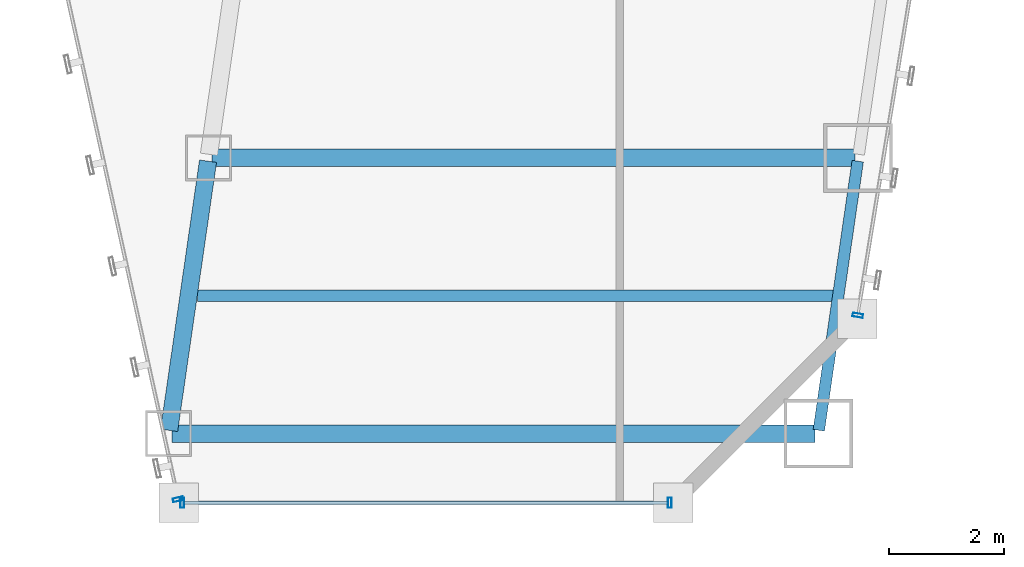
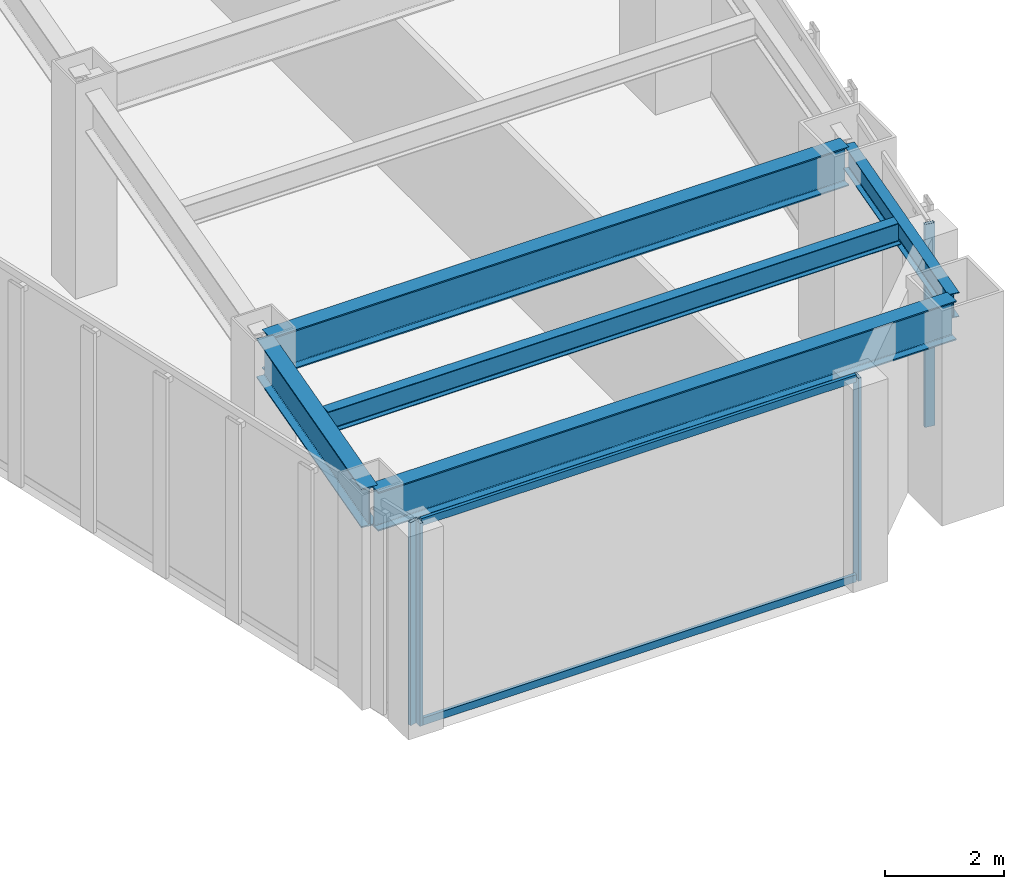
# One storey, part 15 of 47: 6 members, 5 beams, 3 elements without a shape of their own.
"""IFC4 building model written with IfcOpenShell, lengths in metres."""

from ifc_helpers import new_model, si_unit, direction, frame, origin, origin_2d, place, context, subcontext, project, spatial, hollow_rectangle, i_section, extrude, material, material_profile, profile_set, type_object, element, aggregate, save


model = new_model("IFC4")

# Units and contexts
model_context = context("Model", 3, precision=1e-05, world=origin(), true_north=direction((0.0, 1.0)))
body_context = subcontext(model_context, "Body", "Model", "MODEL_VIEW")
ifc_project = project(units=[si_unit("LENGTHUNIT", "METRE"), si_unit("AREAUNIT", "SQUARE_METRE"), si_unit("VOLUMEUNIT", "CUBIC_METRE"), si_unit("PLANEANGLEUNIT", "RADIAN"), si_unit("MASSUNIT", "GRAM", prefix="KILO")], contexts=[model_context])

# Site, building, storey
site_placement = place(None, origin())
site = spatial("IfcSite", under=ifc_project, at=site_placement, CompositionType="ELEMENT")
building_placement = place(site_placement, origin())
building = spatial("IfcBuilding", under=site, at=building_placement, Name="Saevonmaru Cultural Tower", CompositionType="ELEMENT")
storey_placement = place(building_placement, frame((0.0, 0.0, 51.60009765625)))
storey = spatial("IfcBuildingStorey", under=building, at=storey_placement, Name="L10", CompositionType="ELEMENT", Elevation=51.60009765625)

# Beams
ifc_material_1 = material(Name="Steel SM420", Category="steel")
ifc_material_profile_1 = material_profile(ifc_material_1, i_section(OverallWidth=0.300048828125, OverallDepth=0.800048828125, WebThickness=0.013916015625, FlangeThickness=0.02587890625, FilletRadius=0.028076171875, at=origin_2d()), Name="H-800x300x14x26")
ifc_profile_set_1 = profile_set([ifc_material_profile_1], Name="Steel SM420")
beam_type_1 = type_object("IfcBeamType", Name="BM-G-H800", PredefinedType="BEAM", material=ifc_profile_set_1)
beam_1_placement = place(storey_placement, frame((36.231689453125, 3.259521484375, 3.75), z_axis=(0.143083234893, 0.989710658674, 0.0), x_axis=(-0.989710658674, 0.143083234893, 0.0)))
element("IfcBeam", 1, at=beam_1_placement, inside=storey, type_object=beam_type_1, Name="L10 East Atrium Girder 1", PredefinedType="BEAM", context=body_context, shape_type="SweptSolid", body=[
    extrude(i_section(OverallWidth=0.300048828125, OverallDepth=0.800048828125, WebThickness=0.013916015625, FlangeThickness=0.02587890625, FilletRadius=0.028076171875, at=origin_2d()), origin(), (0.0, 0.0, 1.0), 4.729736328125),
])
for number, where, z_axis, x_axis, name in (
    (2, (36.282958984375, 3.199951171875, 3.75), (1.0, 0.0, 0.0), (0.0, 1.0, 0.0), "L10 East Wing Transverse Girder 1"),
    (3, (36.97705078125, 8.0, 3.75), (1.0, 0.0, 0.0), (0.0, 1.0, 0.0), "L10 East Wing Transverse Girder 2"),
):
    element("IfcBeam", number, at=place(storey_placement, frame(where, z_axis=z_axis, x_axis=x_axis)), inside=storey, type_object=beam_type_1, Name=name, PredefinedType="BEAM", context=body_context, shape_type="SweptSolid", body=[
        extrude(i_section(OverallWidth=0.300048828125, OverallDepth=0.800048828125, WebThickness=0.013916015625, FlangeThickness=0.02587890625, FilletRadius=0.028076171875, at=origin_2d()), origin(), (0.0, 0.0, 1.0), 11.179931640625),
    ])
ifc_material_2 = material(Name="Steel SM355", Category="steel")
ifc_material_profile_2 = material_profile(ifc_material_2, i_section(OverallWidth=0.199951171875, OverallDepth=0.449951171875, WebThickness=0.009033203125, FlangeThickness=0.013916015625, FilletRadius=0.01806640625, at=origin_2d()), Name="H-450x200x9x14")
ifc_profile_set_2 = profile_set([ifc_material_profile_2], Name="Steel SM355")
beam_type_2 = type_object("IfcBeamType", Name="BM-J-H450", PredefinedType="JOIST", material=ifc_profile_set_2)
beam_2_placement = place(storey_placement, frame((36.72802734375, 5.60009765625, 3.9248046875), z_axis=(1.0, 0.0, 0.0), x_axis=(0.0, 1.0, 0.0)))
element("IfcBeam", 4, at=beam_2_placement, inside=storey, type_object=beam_type_2, Name="L10 East Wing Floor Joist 1", PredefinedType="JOIST", context=body_context, shape_type="SweptSolid", body=[
    extrude(i_section(OverallWidth=0.199951171875, OverallDepth=0.449951171875, WebThickness=0.009033203125, FlangeThickness=0.013916015625, FilletRadius=0.01806640625, at=origin_2d()), origin(), (0.0, 0.0, 1.0), 11.08203125),
])
ifc_material_profile_3 = material_profile(ifc_material_2, i_section(OverallWidth=0.199951171875, OverallDepth=0.5, WebThickness=0.010009765625, FlangeThickness=0.01611328125, FilletRadius=0.02001953125, at=origin_2d()), Name="H-500x200x10x16")
ifc_profile_set_3 = profile_set([ifc_material_profile_3], Name="Steel SM355")
beam_type_3 = type_object("IfcBeamType", Name="BM-SP-H500", PredefinedType="SPANDREL", material=ifc_profile_set_3)
beam_3_placement = place(storey_placement, frame((47.531494140625, 3.259521484375, 3.89990234375), z_axis=(0.14313379491, 0.989703347855, 0.0), x_axis=(-0.989703347855, 0.14313379491, 0.0)))
element("IfcBeam", 5, at=beam_3_placement, inside=storey, type_object=beam_type_3, Name="L10 East Splayed Spandrel 1", PredefinedType="SPANDREL", context=body_context, shape_type="SweptSolid", body=[
    extrude(i_section(OverallWidth=0.199951171875, OverallDepth=0.5, WebThickness=0.010009765625, FlangeThickness=0.01611328125, FilletRadius=0.02001953125, at=origin_2d()), origin(), (0.0, 0.0, 1.0), 4.729736328125),
])

# Curtain wall, member
ifc_material_3 = material(Name="Satin Bronze Anodised Aluminium", Category="aluminium")
curtain_wall_type = type_object("IfcCurtainWallType", Name="CW-TYP-A", PredefinedType="NOTDEFINED", material=ifc_material_3)
curtain_wall_1_placement = place(storey_placement, origin())
curtain_wall_1 = element("IfcCurtainWall", 6, at=curtain_wall_1_placement, inside=storey, type_object=curtain_wall_type, Name="L10 Unitised Curtain Wall E5", PredefinedType="NOTDEFINED")
ifc_material_profile_4 = material_profile(ifc_material_3, hollow_rectangle(XDim=0.06494140625, YDim=0.179931640625, WallThickness=0.00390625, at=origin_2d()), Name="ALU-MULL-180x65x4")
ifc_profile_set_4 = profile_set([ifc_material_profile_4], Name="Satin Bronze Anodised Aluminium")
member_type_1 = type_object("IfcMemberType", Name="ML-CW-180x65", PredefinedType="MULLION", material=ifc_profile_set_4)
member_1_placement = place(storey_placement, frame((36.38720703125, 2.05859375, 0.0), z_axis=(0.0, 0.0, 1.0), x_axis=(0.215413319953, -0.976522965212, 0.0)))
member_1 = element("IfcMember", 7, at=member_1_placement, type_object=member_type_1, Name="CW-TW-L10-E5 mullion 2", PredefinedType="MULLION", context=body_context, shape_type="SweptSolid", body=[
    extrude(hollow_rectangle(XDim=0.06494140625, YDim=0.179931640625, WallThickness=0.00390625, at=origin_2d()), origin(), (0.0, 0.0, 1.0), 4.14990234375),
])
aggregate(curtain_wall_1, [member_1])

# Curtain wall, members
curtain_wall_2_placement = place(storey_placement, origin())
curtain_wall_2 = element("IfcCurtainWall", 8, at=curtain_wall_2_placement, inside=storey, type_object=curtain_wall_type, Name="L10 Unitised Curtain Wall E6", PredefinedType="NOTDEFINED")
member_2_placement = place(storey_placement, frame((36.4599609375, 2.0, 0.0), z_axis=(0.0, 0.0, 1.0), x_axis=(1.0, 0.0, 0.0)))
member_2 = element("IfcMember", 9, at=member_2_placement, type_object=member_type_1, Name="CW-TW-L10-E6 mullion 1", PredefinedType="MULLION", context=body_context, shape_type="SweptSolid", body=[
    extrude(hollow_rectangle(XDim=0.06494140625, YDim=0.179931640625, WallThickness=0.00390625, at=origin_2d()), origin(), (0.0, 0.0, 1.0), 4.14990234375),
])
member_3_placement = place(storey_placement, frame((44.93994140625, 2.0, 0.0), z_axis=(0.0, 0.0, 1.0), x_axis=(1.0, 0.0, 0.0)))
member_3 = element("IfcMember", 10, at=member_3_placement, type_object=member_type_1, Name="CW-TW-L10-E6 mullion 2", PredefinedType="MULLION", context=body_context, shape_type="SweptSolid", body=[
    extrude(hollow_rectangle(XDim=0.06494140625, YDim=0.179931640625, WallThickness=0.00390625, at=origin_2d()), origin(), (0.0, 0.0, 1.0), 4.14990234375),
])

# Curtain wall, member
curtain_wall_3_placement = place(storey_placement, origin())
curtain_wall_3 = element("IfcCurtainWall", 11, at=curtain_wall_3_placement, inside=storey, type_object=curtain_wall_type, Name="L10 Unitised Curtain Wall E8", PredefinedType="NOTDEFINED")
member_4_placement = place(storey_placement, frame((48.209716796875, 5.25927734375, 0.0), z_axis=(0.0, 0.0, 1.0), x_axis=(0.161708868641, 0.986838508472, 0.0)))
member_4 = element("IfcMember", 12, at=member_4_placement, type_object=member_type_1, Name="CW-TW-L10-E8 mullion 1", PredefinedType="MULLION", context=body_context, shape_type="SweptSolid", body=[
    extrude(hollow_rectangle(XDim=0.06494140625, YDim=0.179931640625, WallThickness=0.00390625, at=origin_2d()), origin(), (0.0, 0.0, 1.0), 4.14990234375),
])
aggregate(curtain_wall_3, [member_4])

# Member
ifc_material_profile_5 = material_profile(ifc_material_3, hollow_rectangle(XDim=0.06494140625, YDim=0.14990234375, WallThickness=0.00390625, at=origin_2d()), Name="ALU-TRAN-150x65x4")
ifc_profile_set_5 = profile_set([ifc_material_profile_5], Name="Satin Bronze Anodised Aluminium")
member_type_2 = type_object("IfcMemberType", Name="TR-CW-150x65", PredefinedType="USERDEFINED", material=ifc_profile_set_5)
member_5_placement = place(storey_placement, frame((36.492431640625, 2.0, 0.032470703125), z_axis=(1.0, 0.0, 0.0), x_axis=(0.0, 1.0, 0.0)))
member_5 = element("IfcMember", 13, at=member_5_placement, type_object=member_type_2, Name="CW-TW-L10-E6 transom 1.1", ObjectType="TRANSOM", PredefinedType="USERDEFINED", context=body_context, shape_type="SweptSolid", body=[
    extrude(hollow_rectangle(XDim=0.06494140625, YDim=0.14990234375, WallThickness=0.00390625, at=origin_2d()), origin(), (0.0, 0.0, 1.0), 8.4150390625),
])

member_6_placement = place(storey_placement, frame((36.492431640625, 2.0, 4.117431640625), z_axis=(1.0, 0.0, 0.0), x_axis=(0.0, 1.0, 0.0)))
member_6 = element("IfcMember", 14, at=member_6_placement, type_object=member_type_2, Name="CW-TW-L10-E6 transom 1.2", ObjectType="TRANSOM", PredefinedType="USERDEFINED", context=body_context, shape_type="SweptSolid", body=[
    extrude(hollow_rectangle(XDim=0.06494140625, YDim=0.14990234375, WallThickness=0.00390625, at=origin_2d()), origin(), (0.0, 0.0, 1.0), 8.4150390625),
])

aggregate(curtain_wall_2, [member_2, member_3, member_5, member_6])

save(model, "model.ifc")
